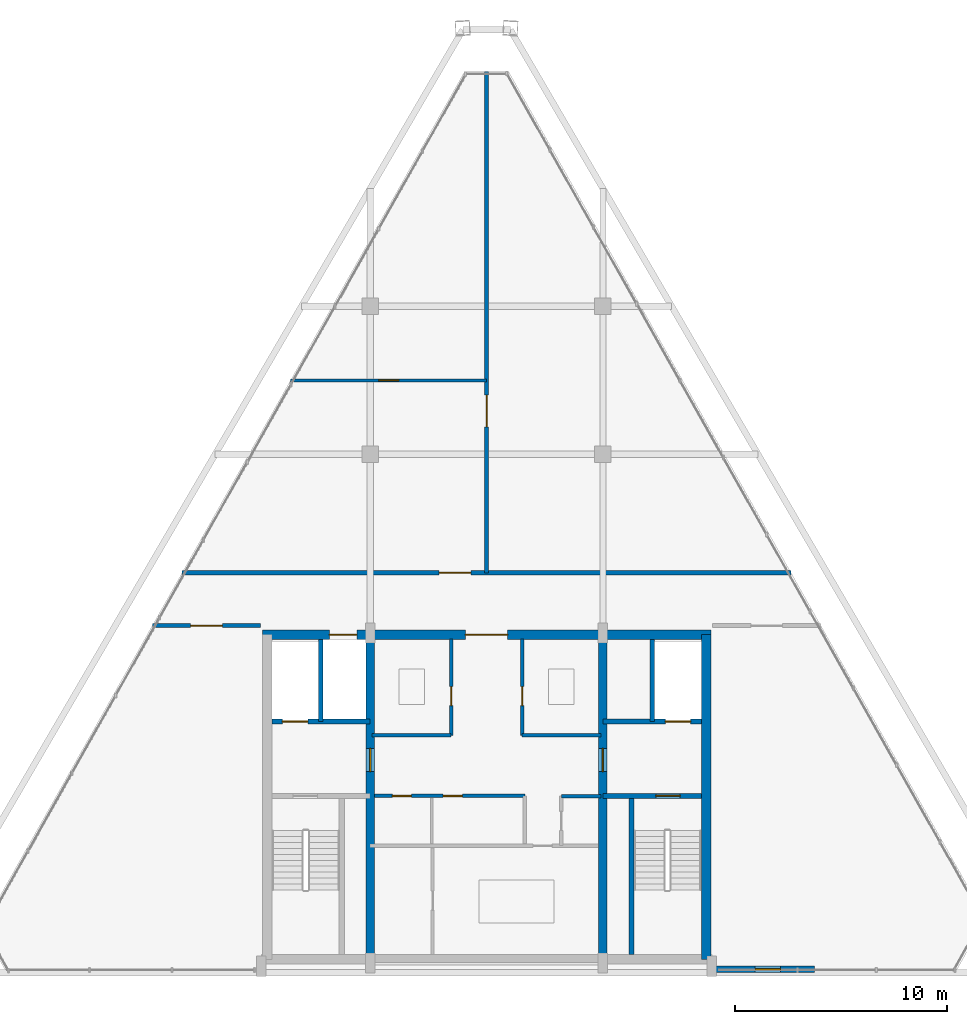
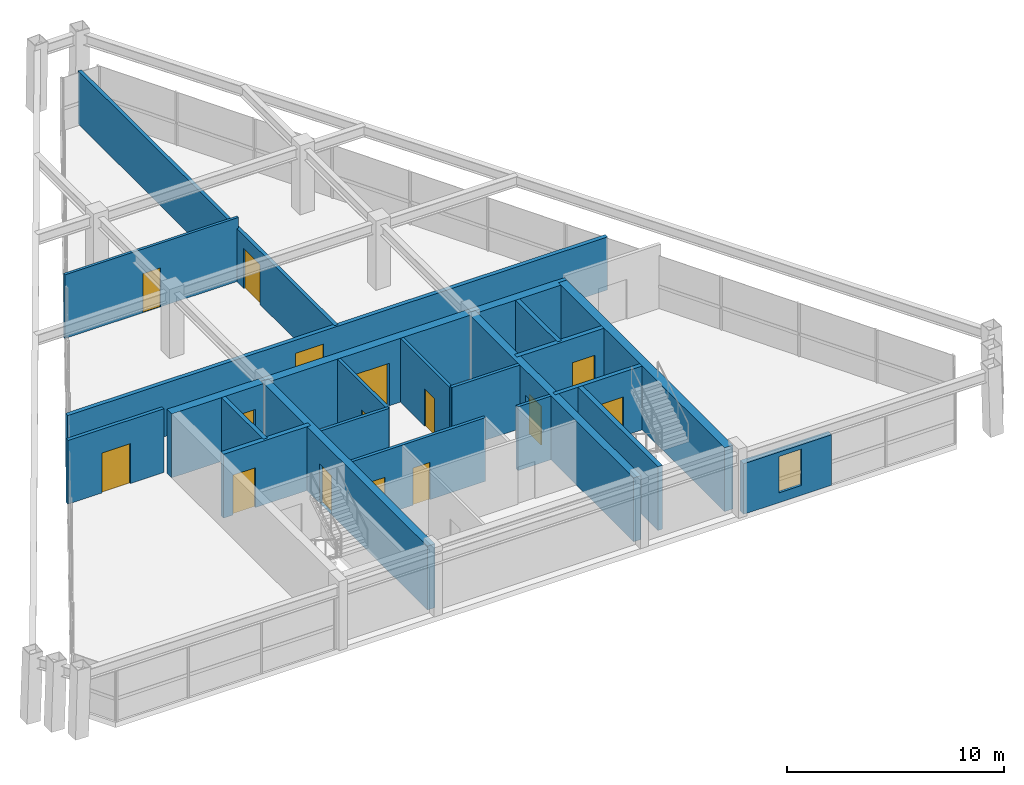
# One storey, part 10 of 12: 21 walls, 15 doors, 1 window, 16 openings.
"""IFC4 building model written with IfcOpenShell, lengths in metres."""

import ifcopenshell
import ifcopenshell.guid

model = None  # the IFC model being written
_history = None  # IfcOwnerHistory: only IFC2X3 demands one
_inside = {}  # id of a spatial element -> (the spatial element, [elements in it])
_under = {}  # id of a project, library or spatial element -> (it, [spatial elements below it])
_declared = {}  # id of a project -> (the project, [libraries it declares])
_typed = {}  # id of a type object -> (the type object, [elements of that type])
_made_of = {}  # id of a material, layer set ... -> (it, [elements and type objects made of it])


def new_model(schema):
    """Start an empty IFC model of exactly this schema.

    Asked for "IFC4X3", IfcOpenShell would pick the latest addendum, in which some entities
    have other attributes; the version numbers below select the first issue.
    IFC2X3 requires an IfcOwnerHistory on every rooted entity: one is made here for all.
    """
    global model, _history
    if schema == "IFC4X3":
        model = ifcopenshell.file(schema_version=(4, 3, 0, 0))
    else:
        model = ifcopenshell.file(schema=schema)
    _inside.clear()
    _under.clear()
    _declared.clear()
    _typed.clear()
    _made_of.clear()
    _history = None
    if model.schema == "IFC2X3":
        org = make("IfcOrganization", Name="unknown")
        user = make(
            "IfcPersonAndOrganization",
            ThePerson=make("IfcPerson", FamilyName="unknown"),
            TheOrganization=org,
        )
        app = make(
            "IfcApplication",
            ApplicationDeveloper=org,
            Version="unknown",
            ApplicationFullName="unknown",
            ApplicationIdentifier="unknown",
        )
        _history = make(
            "IfcOwnerHistory",
            OwningUser=user,
            OwningApplication=app,
            ChangeAction="ADDED",
            CreationDate=0,
        )
    return model


def make(cls, **values):
    """One entity of the class cls with the attributes given. An attribute that is None is left unset."""
    return model.create_entity(
        cls, **{name: value for name, value in values.items() if value is not None}
    )


def rooted(cls, **values):
    """An entity with a GlobalId (a new one), such as an element, a storey or a relation."""
    return make(cls, GlobalId=ifcopenshell.guid.new(), OwnerHistory=_history, **values)


def si_unit(unit_type, name, prefix=None):
    """IfcSIUnit, for example si_unit("LENGTHUNIT", "METRE", prefix="MILLI")."""
    return make("IfcSIUnit", UnitType=unit_type, Prefix=prefix, Name=name)


def assignment(units):
    """IfcUnitAssignment: the units of a project."""
    return None if units is None else make("IfcUnitAssignment", Units=units)


def point(xyz):
    """IfcCartesianPoint."""
    return None if xyz is None else make("IfcCartesianPoint", Coordinates=xyz)


def direction(xyz):
    """IfcDirection."""
    return None if xyz is None else make("IfcDirection", DirectionRatios=xyz)


def frame(location, z_axis=None, x_axis=None):
    """IfcAxis2Placement3D, a coordinate frame: its origin and axes. An axis left out is left unset."""
    return make(
        "IfcAxis2Placement3D",
        Location=point(location),
        Axis=direction(z_axis),
        RefDirection=direction(x_axis),
    )


def frame_2d(location, x_axis=None):
    """IfcAxis2Placement2D, a coordinate frame in the plane: its origin and x axis."""
    return make(
        "IfcAxis2Placement2D", Location=point(location), RefDirection=direction(x_axis)
    )


def origin():
    """The frame at (0, 0, 0) with its axes left unset."""
    return frame((0.0, 0.0, 0.0))


def place(relative_to, where):
    """IfcLocalPlacement: puts the frame where relative to a parent placement (None: the world)."""
    return make(
        "IfcLocalPlacement", PlacementRelTo=relative_to, RelativePlacement=where
    )


def context(
    kind, dimensions, precision=None, world=None, true_north=None, identifier=None
):
    """IfcGeometricRepresentationContext, for example the 3D "Model" context."""
    return make(
        "IfcGeometricRepresentationContext",
        ContextIdentifier=identifier,
        ContextType=kind,
        CoordinateSpaceDimension=dimensions,
        Precision=precision,
        WorldCoordinateSystem=world,
        TrueNorth=true_north,
    )


def subcontext(parent, identifier, kind, view, scale=None):
    """IfcGeometricRepresentationSubContext, for example "Body" below "Model"."""
    return make(
        "IfcGeometricRepresentationSubContext",
        ContextIdentifier=identifier,
        ContextType=kind,
        ParentContext=parent,
        TargetScale=scale,
        TargetView=view,
    )


def project(units=None, contexts=None):
    """IfcProject with its units and contexts."""
    return rooted(
        "IfcProject",
        Name="project",
        RepresentationContexts=contexts,
        UnitsInContext=assignment(units),
    )


def spatial(cls, under=None, at=None, **own):
    """A site, building, storey or space (cls), placed at a placement, below another one or the project."""
    s = rooted(cls, ObjectPlacement=at, **own)
    if under is not None:
        _under.setdefault(under.id(), (under, []))[1].append(s)
    return s


def profile(cls, at=None, kind="AREA", **sizes):
    """A parametric profile (cls). Its sizes go by their IFC names, for example OverallWidth=200.0."""
    return make(cls, ProfileType=kind, Position=at, **sizes)


def rectangle(**sizes):
    """IfcRectangleProfileDef."""
    return profile("IfcRectangleProfileDef", **sizes)


def extrude(swept, where, along, depth):
    """IfcExtrudedAreaSolid: the profile swept, set in the frame where, extruded along a direction by depth."""
    return make(
        "IfcExtrudedAreaSolid",
        SweptArea=swept,
        Position=where,
        ExtrudedDirection=direction(along),
        Depth=depth,
    )


def shape(context_of_items, identifier, shape_type, items):
    """IfcShapeRepresentation: the items that make up one representation, for example the "Body"."""
    return make(
        "IfcShapeRepresentation",
        ContextOfItems=context_of_items,
        RepresentationIdentifier=identifier,
        RepresentationType=shape_type,
        Items=items,
    )


def source(mapping_origin, context_of_items, identifier, shape_type, items):
    """IfcRepresentationMap: a shape defined once, which mapped items show again and again."""
    return make(
        "IfcRepresentationMap",
        MappingOrigin=mapping_origin,
        MappedRepresentation=shape(context_of_items, identifier, shape_type, items),
    )


def transform(
    local_origin,
    x_axis=None,
    y_axis=None,
    z_axis=None,
    scale=None,
    scale2=None,
    scale3=None,
    uniform=True,
):
    """IfcCartesianTransformationOperator3D, or its non-uniform kind. x_axis, y_axis, z_axis: its Axis1, 2, 3."""
    if uniform:
        return make(
            "IfcCartesianTransformationOperator3D",
            Axis1=direction(x_axis),
            Axis2=direction(y_axis),
            LocalOrigin=point(local_origin),
            Scale=scale,
            Axis3=direction(z_axis),
        )
    return make(
        "IfcCartesianTransformationOperator3DnonUniform",
        Axis1=direction(x_axis),
        Axis2=direction(y_axis),
        LocalOrigin=point(local_origin),
        Scale=scale,
        Axis3=direction(z_axis),
        Scale2=scale2,
        Scale3=scale3,
    )


def mapped(mapping_source, mapping_target):
    """IfcMappedItem: shows the shape of a source again, moved by a transform."""
    return make(
        "IfcMappedItem", MappingSource=mapping_source, MappingTarget=mapping_target
    )


def material(Name=None, Category=None):
    """IfcMaterial."""
    return make("IfcMaterial", Name=Name, Category=Category)


def layer(
    of_material, thickness, ventilated=None, Name=None, Category=None, Priority=None
):
    """IfcMaterialLayer: one layer of a wall or slab, of a material (None: an air gap)."""
    return make(
        "IfcMaterialLayer",
        Material=of_material,
        LayerThickness=thickness,
        IsVentilated=ventilated,
        Name=Name,
        Category=Category,
        Priority=Priority,
    )


def layer_set(layers, Name=None):
    """IfcMaterialLayerSet."""
    return make("IfcMaterialLayerSet", MaterialLayers=layers, LayerSetName=Name)


def made_of(thing, what):
    """Note that an element or type object is made of a material, layer set ...; save() writes the relation."""
    if what is not None:
        _made_of.setdefault(what.id(), (what, []))[1].append(thing)
    return thing


def type_object(cls, material=None, **own):
    """A type object (cls), such as IfcWallType, which elements share."""
    return made_of(rooted(cls, **own), material)


def type_shapes(of_type, sources):
    """Give a type object the sources (RepresentationMaps) that its elements show as mapped items."""
    of_type.RepresentationMaps = sources


def element(
    cls,
    number,
    at=None,
    inside=None,
    cuts=None,
    type_object=None,
    material=None,
    context=None,
    identifier="Body",
    shape_type=None,
    held_by="IfcProductDefinitionShape",
    body=None,
    shapes=None,
    **own,
):
    """One element of the class cls, such as IfcWall. Its Tag is "e" and its number.

    at: its placement. inside: the storey or other place that contains it. cuts: it is an
    opening in that element (IfcRelVoidsElement). A single representation is given by context,
    identifier, shape_type and body (its items); several are given by shapes. held_by: the class
    of the entity that holds the representations. save() writes the other relations.
    """
    e = rooted(cls, Tag="e%d" % number, ObjectPlacement=at, **own)
    if body is not None:
        shapes = [shape(context, identifier, shape_type, body)]
    if shapes is not None:
        e.Representation = make(held_by, Representations=shapes)
    if inside is not None:
        _inside.setdefault(inside.id(), (inside, []))[1].append(e)
    if cuts is not None:
        rooted(
            "IfcRelVoidsElement", RelatingBuildingElement=cuts, RelatedOpeningElement=e
        )
    if type_object is not None:
        _typed.setdefault(type_object.id(), (type_object, []))[1].append(e)
    return made_of(e, material)


def fill(opening, filler):
    """IfcRelFillsElement: the door or window that sits in an opening."""
    return rooted(
        "IfcRelFillsElement",
        RelatingOpeningElement=opening,
        RelatedBuildingElement=filler,
    )


def aggregate(whole, parts):
    """IfcRelAggregates: a whole, such as a stair, and the parts it consists of."""
    return rooted("IfcRelAggregates", RelatingObject=whole, RelatedObjects=parts)


def save(model, path):
    """Write the relations noted so far, then the file.

    IfcRelAggregates (storeys below a building ...), IfcRelContainedInSpatialStructure (elements
    in a storey), IfcRelDefinesByType, IfcRelAssociatesMaterial and IfcRelDeclares: one each for
    every whole, place, type object, material and project.
    """
    for whole, parts in _under.values():
        aggregate(whole, parts)
    for where, things in _inside.values():
        rooted(
            "IfcRelContainedInSpatialStructure",
            RelatedElements=things,
            RelatingStructure=where,
        )
    for kind, things in _typed.values():
        rooted("IfcRelDefinesByType", RelatedObjects=things, RelatingType=kind)
    for what, things in _made_of.values():
        rooted("IfcRelAssociatesMaterial", RelatedObjects=things, RelatingMaterial=what)
    for by, libraries in _declared.values():
        rooted("IfcRelDeclares", RelatingContext=by, RelatedDefinitions=libraries)
    model.write(path)


model = new_model("IFC4")

# Units and contexts
model_context = context("Model", 3, precision=1e-05, world=origin(), true_north=direction((0.0, 1.0)))
body_context = subcontext(model_context, "Body", "Model", "MODEL_VIEW")
ifc_project = project(units=[si_unit("LENGTHUNIT", "METRE"), si_unit("AREAUNIT", "SQUARE_METRE"), si_unit("VOLUMEUNIT", "CUBIC_METRE"), si_unit("PLANEANGLEUNIT", "RADIAN"), si_unit("MASSUNIT", "GRAM", prefix="KILO")], contexts=[model_context])

# Site, building, storey
site_placement = place(None, origin())
site = spatial("IfcSite", under=ifc_project, at=site_placement, CompositionType="ELEMENT")
building_placement = place(site_placement, origin())
building = spatial("IfcBuilding", under=site, at=building_placement, Name="Varnakhor Terracotta Tower", CompositionType="ELEMENT")
storey_placement = place(building_placement, frame((0.0, 0.0, 321.39990234375)))
storey = spatial("IfcBuildingStorey", under=building, at=storey_placement, Name="L84 Crown", CompositionType="ELEMENT", Elevation=321.39990234375)

# Wall, openings, doors
ifc_material_1 = material(Name="Concrete C50/60", Category="concrete")
ifc_layer_1 = layer(ifc_material_1, 0.449951171875, Name="Concrete C50/60")
ifc_layer_set_1 = layer_set([ifc_layer_1], Name="Concrete C50/60")
wall_type_1 = type_object("IfcWallType", Name="WAL-CORE-450", PredefinedType="SHEAR", material=ifc_layer_set_1)
wall_1_placement = place(storey_placement, frame((-10.60009765625, 15.97509765625, 0.0), z_axis=(0.0, 0.0, 1.0), x_axis=(1.0, 0.0, 0.0)))
wall_1 = element("IfcWall", 1, at=wall_1_placement, inside=storey, type_object=wall_type_1, Name="L84 Crown North Core Shear Wall", PredefinedType="SHEAR", context=body_context, shape_type="SweptSolid", body=[
    extrude(rectangle(XDim=21.2001953125, YDim=0.449951171875, at=frame_2d((10.60009765625, 0.0))), origin(), (0.0, 0.0, 1.0), 3.60009765625),
])
opening_1_placement = place(wall_1_placement, frame((3.169921875, 0.0, 0.0)))
opening_1 = element("IfcOpeningElement", 2, at=opening_1_placement, cuts=wall_1, Name="Opening LD-03", PredefinedType="OPENING", context=body_context, shape_type="SweptSolid", body=[
    extrude(rectangle(XDim=1.300048828125, YDim=2.300048828125, at=frame_2d((0.64990234375, 1.14990234375))), frame((0.0, 0.23486328125, 0.0), z_axis=(0.0, -1.0, 0.0), x_axis=(1.0, 0.0, 0.0)), (0.0, 0.0, 1.0), 0.469970703125),
])
opening_2_placement = place(wall_1_placement, frame((9.60009765625, 0.0, 0.0)))
opening_2 = element("IfcOpeningElement", 3, at=opening_2_placement, cuts=wall_1, Name="Opening DR-32", PredefinedType="OPENING", context=body_context, shape_type="SweptSolid", body=[
    extrude(rectangle(XDim=2.0, YDim=2.39990234375, at=frame_2d((1.0, 1.199951171875))), frame((0.0, 0.23486328125, 0.0), z_axis=(0.0, -1.0, 0.0), x_axis=(1.0, 0.0, 0.0)), (0.0, 0.0, 1.0), 0.469970703125),
])
ifc_material_2 = material(Name="Heavy-Duty Goods Sliding Lift Landing Door", Category="steel")
door_type_1 = type_object("IfcDoorType", Name="LD-SRV-1300X2300", OperationType="NOTDEFINED", PredefinedType="DOOR", material=ifc_material_2)
shared_shape_1 = source(origin(), body_context, "Body", "SweptSolid", [
    extrude(rectangle(XDim=1.300048828125, YDim=2.300048828125, at=frame_2d((0.64990234375, 1.14990234375))), frame((0.0, 0.02490234375, 0.0), z_axis=(0.0, -1.0, 0.0), x_axis=(1.0, 0.0, 0.0)), (0.0, 0.0, 1.0), 0.050048828125),
])
type_shapes(door_type_1, [shared_shape_1])
door_1_placement = place(opening_1_placement, origin())
door_1 = element("IfcDoor", 4, at=door_1_placement, inside=storey, type_object=door_type_1, Name="L84 Crown Service Lift SVL-1 Landing Door", OperationType="SLIDING_TO_RIGHT", OverallHeight=2.300048828125, OverallWidth=1.300048828125, PredefinedType="DOOR", context=body_context, shape_type="MappedRepresentation", body=[
    mapped(shared_shape_1, transform((0.0, 0.0, 0.0), scale=1.0)),
])
fill(opening_1, door_1)
ifc_material_3 = material(Name="Acoustic Double Assembly Fire Door", Category="wood")
door_type_2 = type_object("IfcDoorType", Name="DR-HALL-2000X2400", OperationType="NOTDEFINED", PredefinedType="DOOR", material=ifc_material_3)
shared_shape_2 = source(origin(), body_context, "Body", "SweptSolid", [
    extrude(rectangle(XDim=2.0, YDim=2.39990234375, at=frame_2d((1.0, 1.199951171875))), frame((0.0, 0.02490234375, 0.0), z_axis=(0.0, -1.0, 0.0), x_axis=(1.0, 0.0, 0.0)), (0.0, 0.0, 1.0), 0.050048828125),
])
type_shapes(door_type_2, [shared_shape_2])
door_2_placement = place(opening_2_placement, origin())
door_2 = element("IfcDoor", 5, at=door_2_placement, inside=storey, type_object=door_type_2, Name="L84 Crown Core Main Lobby Double Door", OperationType="DOUBLE_DOOR_SINGLE_SWING", OverallHeight=2.39990234375, OverallWidth=2.0, PredefinedType="DOOR", context=body_context, shape_type="MappedRepresentation", body=[
    mapped(shared_shape_2, transform((0.0, 0.0, 0.0), scale=1.0)),
])
fill(opening_2, door_2)

# Wall
wall_2_placement = place(storey_placement, frame((10.375, 0.625, 0.0), z_axis=(0.0, 0.0, 1.0), x_axis=(0.0, 1.0, 0.0)))
element("IfcWall", 6, at=wall_2_placement, inside=storey, type_object=wall_type_1, Name="L84 Crown East Core Shear Wall", PredefinedType="SHEAR", context=body_context, shape_type="SweptSolid", body=[
    extrude(rectangle(XDim=15.35009765625, YDim=0.449951171875, at=frame_2d((7.675048828125, 0.0))), origin(), (0.0, 0.0, 1.0), 3.60009765625),
])

# Wall, opening, door
ifc_layer_2 = layer(ifc_material_1, 0.39990234375, Name="Concrete C50/60")
ifc_layer_set_2 = layer_set([ifc_layer_2], Name="Concrete C50/60")
wall_type_2 = type_object("IfcWallType", Name="WAL-CORE-WEB-400", PredefinedType="SHEAR", material=ifc_layer_set_2)
wall_3_placement = place(storey_placement, frame((-5.5, 0.625, 0.0), z_axis=(0.0, 0.0, 1.0), x_axis=(0.0, 1.0, 0.0)))
wall_3 = element("IfcWall", 7, at=wall_3_placement, inside=storey, type_object=wall_type_2, Name="L84 Crown West Core Web Shear Wall", PredefinedType="SHEAR", context=body_context, shape_type="SweptSolid", body=[
    extrude(rectangle(XDim=15.35009765625, YDim=0.39990234375, at=frame_2d((7.675048828125, 0.0))), origin(), (0.0, 0.0, 1.0), 3.60009765625),
])
opening_3_placement = place(wall_3_placement, frame((8.875, 0.0, 0.0)))
opening_3 = element("IfcOpeningElement", 8, at=opening_3_placement, cuts=wall_3, Name="Opening DR-25", PredefinedType="OPENING", context=body_context, shape_type="SweptSolid", body=[
    extrude(rectangle(XDim=1.10009765625, YDim=2.199951171875, at=frame_2d((0.550048828125, 1.10009765625))), frame((0.0, 0.2099609375, 0.0), z_axis=(0.0, -1.0, 0.0), x_axis=(1.0, 0.0, 0.0)), (0.0, 0.0, 1.0), 0.419921875),
])
ifc_material_4 = material(Name="Firefighting Lobby Self-Closing Fire Door", Category="steel")
door_type_3 = type_object("IfcDoorType", Name="DR-FFL-1100X2200", OperationType="NOTDEFINED", PredefinedType="DOOR", material=ifc_material_4)
shared_shape_3 = source(origin(), body_context, "Body", "SweptSolid", [
    extrude(rectangle(XDim=1.10009765625, YDim=2.199951171875, at=frame_2d((0.550048828125, 1.10009765625))), frame((0.0, 0.02490234375, 0.0), z_axis=(0.0, -1.0, 0.0), x_axis=(1.0, 0.0, 0.0)), (0.0, 0.0, 1.0), 0.050048828125),
])
type_shapes(door_type_3, [shared_shape_3])
door_3_placement = place(opening_3_placement, origin())
door_3 = element("IfcDoor", 9, at=door_3_placement, inside=storey, type_object=door_type_3, Name="L84 Crown West Firefighting Lobby Door", OperationType="SINGLE_SWING_RIGHT", OverallHeight=2.199951171875, OverallWidth=1.10009765625, PredefinedType="DOOR", context=body_context, shape_type="MappedRepresentation", body=[
    mapped(shared_shape_3, transform((0.0, 0.0, 0.0), scale=1.0)),
])
fill(opening_3, door_3)

wall_4_placement = place(storey_placement, frame((5.5, 0.625, 0.0), z_axis=(0.0, 0.0, 1.0), x_axis=(0.0, 1.0, 0.0)))
wall_4 = element("IfcWall", 10, at=wall_4_placement, inside=storey, type_object=wall_type_2, Name="L84 Crown East Core Web Shear Wall", PredefinedType="SHEAR", context=body_context, shape_type="SweptSolid", body=[
    extrude(rectangle(XDim=15.35009765625, YDim=0.39990234375, at=frame_2d((7.675048828125, 0.0))), origin(), (0.0, 0.0, 1.0), 3.60009765625),
])
opening_4_placement = place(wall_4_placement, frame((8.875, 0.0, 0.0)))
opening_4 = element("IfcOpeningElement", 11, at=opening_4_placement, cuts=wall_4, Name="Opening DR-25", PredefinedType="OPENING", context=body_context, shape_type="SweptSolid", body=[
    extrude(rectangle(XDim=1.10009765625, YDim=2.199951171875, at=frame_2d((0.550048828125, 1.10009765625))), frame((0.0, 0.2099609375, 0.0), z_axis=(0.0, -1.0, 0.0), x_axis=(1.0, 0.0, 0.0)), (0.0, 0.0, 1.0), 0.419921875),
])
door_4_placement = place(opening_4_placement, origin())
door_4 = element("IfcDoor", 12, at=door_4_placement, inside=storey, type_object=door_type_3, Name="L84 Crown East Firefighting Lobby Door", OperationType="SINGLE_SWING_RIGHT", OverallHeight=2.199951171875, OverallWidth=1.10009765625, PredefinedType="DOOR", context=body_context, shape_type="MappedRepresentation", body=[
    mapped(shared_shape_3, transform((0.0, 0.0, 0.0), scale=1.0)),
])
fill(opening_4, door_4)

ifc_material_5 = material(Name="Fire-Rated Gypsum Stud Partition", Category="gypsum")
ifc_layer_3 = layer(ifc_material_5, 0.18505859375, Name="Fire-Rated Gypsum Stud Partition")
ifc_layer_set_3 = layer_set([ifc_layer_3], Name="Fire-Rated Gypsum Stud Partition")
wall_type_3 = type_object("IfcWallType", Name="WAL-CORR-185", PredefinedType="PARTITIONING", material=ifc_layer_set_3)
wall_5_placement = place(storey_placement, frame((-15.798583984375, 16.39990234375, 0.0), z_axis=(0.0, 0.0, 1.0), x_axis=(1.0, 0.0, 0.0)))
wall_5 = element("IfcWall", 13, at=wall_5_placement, inside=storey, type_object=wall_type_3, Name="L84 Crown West Plant Wall", PredefinedType="PARTITIONING", context=body_context, shape_type="SweptSolid", body=[
    extrude(rectangle(XDim=5.11865234375, YDim=0.18505859375, at=frame_2d((2.559326171875, 0.0))), origin(), (0.0, 0.0, 1.0), 3.592041015625),
])
opening_5_placement = place(wall_5_placement, frame((1.809326171875, 0.0, 0.0)))
opening_5 = element("IfcOpeningElement", 14, at=opening_5_placement, cuts=wall_5, Name="Opening DR-30", PredefinedType="OPENING", context=body_context, shape_type="SweptSolid", body=[
    extrude(rectangle(XDim=1.5, YDim=2.25, at=frame_2d((0.75, 1.125))), frame((0.0, 0.1025390625, 0.0), z_axis=(0.0, -1.0, 0.0), x_axis=(1.0, 0.0, 0.0)), (0.0, 0.0, 1.0), 0.205078125),
])
ifc_material_6 = material(Name="Double Acoustic Conference Room Door", Category="wood")
door_type_4 = type_object("IfcDoorType", Name="DR-MEET-1500X2250", OperationType="NOTDEFINED", PredefinedType="DOOR", material=ifc_material_6)
shared_shape_4 = source(origin(), body_context, "Body", "SweptSolid", [
    extrude(rectangle(XDim=1.5, YDim=2.25, at=frame_2d((0.75, 1.125))), frame((0.0, 0.02490234375, 0.0), z_axis=(0.0, -1.0, 0.0), x_axis=(1.0, 0.0, 0.0)), (0.0, 0.0, 1.0), 0.050048828125),
])
type_shapes(door_type_4, [shared_shape_4])
door_5_placement = place(opening_5_placement, origin())
door_5 = element("IfcDoor", 15, at=door_5_placement, inside=storey, type_object=door_type_4, Name="L84 Crown West Mechanical Room Door", OperationType="DOUBLE_DOOR_SINGLE_SWING", OverallHeight=2.25, OverallWidth=1.5, PredefinedType="DOOR", context=body_context, shape_type="MappedRepresentation", body=[
    mapped(shared_shape_4, transform((0.0, 0.0, 0.0), scale=1.0)),
])
fill(opening_5, door_5)

wall_6_placement = place(storey_placement, frame((0.0, 18.89990234375, 0.0), z_axis=(0.0, 0.0, 1.0), x_axis=(0.0, 1.0, 0.0)))
wall_6 = element("IfcWall", 16, at=wall_6_placement, inside=storey, type_object=wall_type_3, Name="L84 Crown Crown Plant Division Wall", PredefinedType="PARTITIONING", context=body_context, shape_type="SweptSolid", body=[
    extrude(rectangle(XDim=23.6953125, YDim=0.18505859375, at=frame_2d((11.84765625, 0.0))), origin(), (0.0, 0.0, 1.0), 2.9921875),
])
opening_6_placement = place(wall_6_placement, frame((6.8974609375, 0.0, 0.0)))
opening_6 = element("IfcOpeningElement", 17, at=opening_6_placement, cuts=wall_6, Name="Opening DR-30", PredefinedType="OPENING", context=body_context, shape_type="SweptSolid", body=[
    extrude(rectangle(XDim=1.5, YDim=2.25, at=frame_2d((0.75, 1.125))), frame((0.0, 0.1025390625, 0.0), z_axis=(0.0, -1.0, 0.0), x_axis=(1.0, 0.0, 0.0)), (0.0, 0.0, 1.0), 0.205078125),
])
door_6_placement = place(opening_6_placement, origin())
door_6 = element("IfcDoor", 18, at=door_6_placement, inside=storey, type_object=door_type_4, Name="L84 Crown Crown Plant Door", OperationType="DOUBLE_DOOR_SINGLE_SWING", OverallHeight=2.25, OverallWidth=1.5, PredefinedType="DOOR", context=body_context, shape_type="MappedRepresentation", body=[
    mapped(shared_shape_4, transform((0.0, 0.0, 0.0), scale=1.0)),
])
fill(opening_6, door_6)

# Wall, opening, window
ifc_material_7 = material(Name="Extruded Architectural Terracotta Assembly", Category="masonry")
ifc_layer_4 = layer(ifc_material_7, 0.320068359375, Name="Extruded Architectural Terracotta Assembly")
ifc_layer_set_4 = layer_set([ifc_layer_4], Name="Extruded Architectural Terracotta Assembly")
wall_type_4 = type_object("IfcWallType", Name="WAL-EXT-TERRACOTTA-320", PredefinedType="SOLIDWALL", material=ifc_layer_set_4)
wall_7_placement = place(storey_placement, frame((15.5, 0.159912109375, 0.0), z_axis=(0.0, 0.0, 1.0), x_axis=(-1.0, 0.0, 0.0)))
wall_7 = element("IfcWall", 19, at=wall_7_placement, inside=storey, type_object=wall_type_4, Name="L84 Crown South Crown Terracotta Spandrel Wall", PredefinedType="SOLIDWALL", context=body_context, shape_type="SweptSolid", body=[
    extrude(rectangle(XDim=4.699951171875, YDim=0.320068359375, at=frame_2d((2.35009765625, 0.0))), origin(), (0.0, 0.0, 1.0), 2.85009765625),
])
opening_7_placement = place(wall_7_placement, frame((1.60009765625, 0.0, 0.550048828125)))
opening_7 = element("IfcOpeningElement", 20, at=opening_7_placement, cuts=wall_7, Name="Opening WN-55", PredefinedType="OPENING", context=body_context, shape_type="SweptSolid", body=[
    extrude(rectangle(XDim=1.199951171875, YDim=2.050048828125, at=frame_2d((0.60009765625, 1.02490234375))), frame((0.0, 0.169921875, 0.0), z_axis=(0.0, -1.0, 0.0), x_axis=(1.0, 0.0, 0.0)), (0.0, 0.0, 1.0), 0.340087890625),
])
ifc_material_8 = material(Name="Solar-Control Low-E Insulated Glass Unit", Category="glass")
window_type = type_object("IfcWindowType", Name="WIN-CRN-1200X2200", PartitioningType="SINGLE_PANEL", PredefinedType="WINDOW", material=ifc_material_8)
shared_shape_5 = source(origin(), body_context, "Body", "SweptSolid", [
    extrude(rectangle(XDim=1.199951171875, YDim=2.050048828125, at=frame_2d((0.60009765625, 1.02490234375))), frame((0.0, 0.030029296875, 0.0), z_axis=(0.0, -1.0, 0.0), x_axis=(1.0, 0.0, 0.0)), (0.0, 0.0, 1.0), 0.06005859375),
])
type_shapes(window_type, [shared_shape_5])
window_placement = place(opening_7_placement, origin())
window = element("IfcWindow", 21, at=window_placement, inside=storey, type_object=window_type, Name="L84 Crown Crown Slot Window", OverallHeight=2.050048828125, OverallWidth=1.199951171875, PartitioningType="SINGLE_PANEL", PredefinedType="WINDOW", context=body_context, shape_type="MappedRepresentation", body=[
    mapped(shared_shape_5, transform((0.0, 0.0, 0.0), scale=1.0)),
])
fill(opening_7, window)

# Wall, opening, door
ifc_material_9 = material(Name="Concrete C40/50", Category="concrete")
ifc_layer_5 = layer(ifc_material_9, 0.219970703125, Name="Concrete C40/50")
ifc_layer_set_5 = layer_set([ifc_layer_5], Name="Concrete C40/50")
wall_type_5 = type_object("IfcWallType", Name="WAL-FFLOBBY-220", PredefinedType="SOLIDWALL", material=ifc_layer_set_5)
wall_8_placement = place(storey_placement, frame((10.14990234375, 8.35009765625, 0.0), z_axis=(0.0, 0.0, 1.0), x_axis=(-1.0, 0.0, 0.0)))
wall_8 = element("IfcWall", 22, at=wall_8_placement, inside=storey, type_object=wall_type_5, Name="L84 Crown East Firefighting Lobby Stair Wall", PredefinedType="SOLIDWALL", context=body_context, shape_type="SweptSolid", body=[
    extrude(rectangle(XDim=4.64990234375, YDim=0.219970703125, at=frame_2d((2.324951171875, 0.0))), origin(), (0.0, 0.0, 1.0), 3.60009765625),
])
opening_8_placement = place(wall_8_placement, frame((1.0, 0.0, 0.0)))
opening_8 = element("IfcOpeningElement", 23, at=opening_8_placement, cuts=wall_8, Name="Opening DR-34", PredefinedType="OPENING", context=body_context, shape_type="SweptSolid", body=[
    extrude(rectangle(XDim=1.14990234375, YDim=2.199951171875, at=frame_2d((0.574951171875, 1.10009765625))), frame((0.0, 0.1201171875, 0.0), z_axis=(0.0, -1.0, 0.0), x_axis=(1.0, 0.0, 0.0)), (0.0, 0.0, 1.0), 0.239990234375),
])
ifc_material_10 = material(Name="Self-Closing Smoke-Sealed Steel Fire Door", Category="steel")
door_type_5 = type_object("IfcDoorType", Name="DR-STAIR-1150X2200", OperationType="NOTDEFINED", PredefinedType="DOOR", material=ifc_material_10)
shared_shape_6 = source(origin(), body_context, "Body", "SweptSolid", [
    extrude(rectangle(XDim=1.14990234375, YDim=2.199951171875, at=frame_2d((0.574951171875, 1.10009765625))), frame((0.0, 0.02490234375, 0.0), z_axis=(0.0, -1.0, 0.0), x_axis=(1.0, 0.0, 0.0)), (0.0, 0.0, 1.0), 0.050048828125),
])
type_shapes(door_type_5, [shared_shape_6])
door_7_placement = place(opening_8_placement, origin())
door_7 = element("IfcDoor", 24, at=door_7_placement, inside=storey, type_object=door_type_5, Name="L84 Crown Exit Stair ST-2 Fire Door", OperationType="SINGLE_SWING_LEFT", OverallHeight=2.199951171875, OverallWidth=1.14990234375, PredefinedType="DOOR", context=body_context, shape_type="MappedRepresentation", body=[
    mapped(shared_shape_6, transform((0.0, 0.0, 0.0), scale=1.0)),
])
fill(opening_8, door_7)

wall_9_placement = place(storey_placement, frame((-14.3896484375, 18.89990234375, 0.0), z_axis=(0.0, 0.0, 1.0), x_axis=(1.0, 0.0, 0.0)))
wall_9 = element("IfcWall", 25, at=wall_9_placement, inside=storey, type_object=wall_type_5, Name="L84 Crown Plant Corridor Wall", PredefinedType="SOLIDWALL", context=body_context, shape_type="SweptSolid", body=[
    extrude(rectangle(XDim=28.779296875, YDim=0.219970703125, at=frame_2d((14.3896484375, 0.0))), origin(), (0.0, 0.0, 1.0), 2.9921875),
])
opening_9_placement = place(wall_9_placement, frame((12.147216796875, 0.0, 0.0)))
opening_9 = element("IfcOpeningElement", 26, at=opening_9_placement, cuts=wall_9, Name="Opening DR-30", PredefinedType="OPENING", context=body_context, shape_type="SweptSolid", body=[
    extrude(rectangle(XDim=1.5, YDim=2.25, at=frame_2d((0.75, 1.125))), frame((0.0, 0.1201171875, 0.0), z_axis=(0.0, -1.0, 0.0), x_axis=(1.0, 0.0, 0.0)), (0.0, 0.0, 1.0), 0.239990234375),
])
door_8_placement = place(opening_9_placement, origin())
door_8 = element("IfcDoor", 27, at=door_8_placement, inside=storey, type_object=door_type_4, Name="L84 Crown North Plant Access Door", OperationType="DOUBLE_DOOR_SINGLE_SWING", OverallHeight=2.25, OverallWidth=1.5, PredefinedType="DOOR", context=body_context, shape_type="MappedRepresentation", body=[
    mapped(shared_shape_4, transform((0.0, 0.0, 0.0), scale=1.0)),
])
fill(opening_9, door_8)

ifc_material_11 = material(Name="Acoustic Metal-Stud Partition", Category="gypsum")
ifc_layer_6 = layer(ifc_material_11, 0.139892578125, Name="Acoustic Metal-Stud Partition")
ifc_layer_set_6 = layer_set([ifc_layer_6], Name="Acoustic Metal-Stud Partition")
wall_type_6 = type_object("IfcWallType", Name="WAL-PART-140", PredefinedType="PARTITIONING", material=ifc_layer_set_6)
wall_10_placement = place(storey_placement, frame((-9.260498046875, 28.0, 0.0), z_axis=(0.0, 0.0, 1.0), x_axis=(1.0, 0.0, 0.0)))
wall_10 = element("IfcWall", 28, at=wall_10_placement, inside=storey, type_object=wall_type_6, Name="L84 Crown Crown Sub-Plant Wall", PredefinedType="PARTITIONING", context=body_context, shape_type="SweptSolid", body=[
    extrude(rectangle(XDim=9.260498046875, YDim=0.139892578125, at=frame_2d((4.63037109375, 0.0))), origin(), (0.0, 0.0, 1.0), 3.592041015625),
])
opening_10_placement = place(wall_10_placement, frame((4.1552734375, 0.0, 0.0)))
opening_10 = element("IfcOpeningElement", 29, at=opening_10_placement, cuts=wall_10, Name="Opening DR-94", PredefinedType="OPENING", context=body_context, shape_type="SweptSolid", body=[
    extrude(rectangle(XDim=0.949951171875, YDim=2.199951171875, at=frame_2d((0.47509765625, 1.10009765625))), frame((0.0, 0.080078125, 0.0), z_axis=(0.0, -1.0, 0.0), x_axis=(1.0, 0.0, 0.0)), (0.0, 0.0, 1.0), 0.159912109375),
])
ifc_material_12 = material(Name="Acoustic Glazed-Vision Timber Office Door", Category="wood")
door_type_6 = type_object("IfcDoorType", Name="DR-OFF-950X2200", OperationType="NOTDEFINED", PredefinedType="DOOR", material=ifc_material_12)
shared_shape_7 = source(origin(), body_context, "Body", "SweptSolid", [
    extrude(rectangle(XDim=0.949951171875, YDim=2.199951171875, at=frame_2d((0.47509765625, 1.10009765625))), frame((0.0, 0.02490234375, 0.0), z_axis=(0.0, -1.0, 0.0), x_axis=(1.0, 0.0, 0.0)), (0.0, 0.0, 1.0), 0.050048828125),
])
type_shapes(door_type_6, [shared_shape_7])
door_9_placement = place(opening_10_placement, origin())
door_9 = element("IfcDoor", 30, at=door_9_placement, inside=storey, type_object=door_type_6, Name="L84 Crown Crown Aux Door", OperationType="SINGLE_SWING_RIGHT", OverallHeight=2.199951171875, OverallWidth=0.949951171875, PredefinedType="DOOR", context=body_context, shape_type="MappedRepresentation", body=[
    mapped(shared_shape_7, transform((0.0, 0.0, 0.0), scale=1.0)),
])
fill(opening_10, door_9)

# Walls
ifc_layer_7 = layer(ifc_material_9, 0.219970703125, Name="Concrete C40/50")
ifc_layer_set_7 = layer_set([ifc_layer_7], Name="Concrete C40/50")
wall_type_7 = type_object("IfcWallType", Name="WAL-SHAFT-220", PredefinedType="SOLIDWALL", material=ifc_layer_set_7)
for number, where, z_axis, x_axis, name in (
    (31, (-7.840087890625, 11.8701171875, 0.0), (0.0, 0.0, 1.0), (0.0, 1.0, 0.0), "L84 Crown Lift FFL-1 and SVL-1 Divider Wall"),
    (32, (7.840087890625, 11.8701171875, 0.0), (0.0, 0.0, 1.0), (0.0, 1.0, 0.0), "L84 Crown Lift FFL-2 and Riser Divider Wall"),
):
    element("IfcWall", number, at=place(storey_placement, frame(where, z_axis=z_axis, x_axis=x_axis)), inside=storey, type_object=wall_type_7, Name=name, PredefinedType="SOLIDWALL", context=body_context, shape_type="SweptSolid", body=[
        extrude(rectangle(XDim=3.8798828125, YDim=0.219970703125, at=frame_2d((1.93994140625, 0.0))), origin(), (0.0, 0.0, 1.0), 3.60009765625),
    ])

# Wall, opening, door
ifc_layer_8 = layer(ifc_material_9, 0.25, Name="Concrete C40/50")
ifc_layer_set_8 = layer_set([ifc_layer_8], Name="Concrete C40/50")
wall_type_8 = type_object("IfcWallType", Name="WAL-SHAFT-250", PredefinedType="SOLIDWALL", material=ifc_layer_set_8)
wall_11_placement = place(storey_placement, frame((-5.5, 11.8701171875, 0.0), z_axis=(0.0, 0.0, 1.0), x_axis=(-1.0, 0.0, 0.0)))
wall_11 = element("IfcWall", 33, at=wall_11_placement, inside=storey, type_object=wall_type_8, Name="L84 Crown Lift FFL-1 Shaft Front Wall", PredefinedType="SOLIDWALL", context=body_context, shape_type="SweptSolid", body=[
    extrude(rectangle(XDim=4.64990234375, YDim=0.25, at=frame_2d((2.324951171875, 0.0))), origin(), (0.0, 0.0, 1.0), 3.60009765625),
])
opening_11_placement = place(wall_11_placement, frame((2.949951171875, 0.0, 0.0)))
opening_11 = element("IfcOpeningElement", 34, at=opening_11_placement, cuts=wall_11, Name="Opening LD-02", PredefinedType="OPENING", context=body_context, shape_type="SweptSolid", body=[
    extrude(rectangle(XDim=1.199951171875, YDim=2.25, at=frame_2d((0.60009765625, 1.125))), frame((0.0, 0.135009765625, 0.0), z_axis=(0.0, -1.0, 0.0), x_axis=(1.0, 0.0, 0.0)), (0.0, 0.0, 1.0), 0.27001953125),
])
ifc_material_13 = material(Name="Firefighting Stretcher Sliding Lift Landing Door", Category="steel")
door_type_7 = type_object("IfcDoorType", Name="LD-FFL-1200X2250", OperationType="NOTDEFINED", PredefinedType="DOOR", material=ifc_material_13)
shared_shape_8 = source(origin(), body_context, "Body", "SweptSolid", [
    extrude(rectangle(XDim=1.199951171875, YDim=2.25, at=frame_2d((0.60009765625, 1.125))), frame((0.0, 0.02490234375, 0.0), z_axis=(0.0, -1.0, 0.0), x_axis=(1.0, 0.0, 0.0)), (0.0, 0.0, 1.0), 0.050048828125),
])
type_shapes(door_type_7, [shared_shape_8])
door_10_placement = place(opening_11_placement, origin())
door_10 = element("IfcDoor", 35, at=door_10_placement, inside=storey, type_object=door_type_7, Name="L84 Crown Firefighting Lift FFL-1 Landing Door", OperationType="SLIDING_TO_LEFT", OverallHeight=2.25, OverallWidth=1.199951171875, PredefinedType="DOOR", context=body_context, shape_type="MappedRepresentation", body=[
    mapped(shared_shape_8, transform((0.0, 0.0, 0.0), scale=1.0)),
])
fill(opening_11, door_10)

# Wall
wall_12_placement = place(storey_placement, frame((6.85009765625, 0.85009765625, 0.0), z_axis=(0.0, 0.0, 1.0), x_axis=(0.0, 1.0, 0.0)))
element("IfcWall", 36, at=wall_12_placement, inside=storey, type_object=wall_type_8, Name="L84 Crown Stair ST-2 Bearing Shaft Wall", PredefinedType="SOLIDWALL", context=body_context, shape_type="SweptSolid", body=[
    extrude(rectangle(XDim=7.5, YDim=0.25, at=frame_2d((3.75, 0.0))), origin(), (0.0, 0.0, 1.0), 3.60009765625),
])

# Wall, opening, door
wall_13_placement = place(storey_placement, frame((10.14990234375, 11.8701171875, 0.0), z_axis=(0.0, 0.0, 1.0), x_axis=(-1.0, 0.0, 0.0)))
wall_13 = element("IfcWall", 37, at=wall_13_placement, inside=storey, type_object=wall_type_8, Name="L84 Crown Lift FFL-2 Shaft Front Wall", PredefinedType="SOLIDWALL", context=body_context, shape_type="SweptSolid", body=[
    extrude(rectangle(XDim=4.64990234375, YDim=0.25, at=frame_2d((2.324951171875, 0.0))), origin(), (0.0, 0.0, 1.0), 3.60009765625),
])
opening_12_placement = place(wall_13_placement, frame((0.5, 0.0, 0.0)))
opening_12 = element("IfcOpeningElement", 38, at=opening_12_placement, cuts=wall_13, Name="Opening LD-02", PredefinedType="OPENING", context=body_context, shape_type="SweptSolid", body=[
    extrude(rectangle(XDim=1.199951171875, YDim=2.25, at=frame_2d((0.60009765625, 1.125))), frame((0.0, 0.135009765625, 0.0), z_axis=(0.0, -1.0, 0.0), x_axis=(1.0, 0.0, 0.0)), (0.0, 0.0, 1.0), 0.27001953125),
])
door_11_placement = place(opening_12_placement, origin())
door_11 = element("IfcDoor", 39, at=door_11_placement, inside=storey, type_object=door_type_7, Name="L84 Crown Firefighting Lift FFL-2 Landing Door", OperationType="SLIDING_TO_RIGHT", OverallHeight=2.25, OverallWidth=1.199951171875, PredefinedType="DOOR", context=body_context, shape_type="MappedRepresentation", body=[
    mapped(shared_shape_8, transform((0.0, 0.0, 0.0), scale=1.0)),
])
fill(opening_12, door_11)

# Wall
ifc_material_14 = material(Name="Acoustic Fire-Rated Partition", Category="gypsum")
ifc_layer_9 = layer(ifc_material_14, 0.1650390625, Name="Acoustic Fire-Rated Partition")
ifc_layer_set_9 = layer_set([ifc_layer_9], Name="Acoustic Fire-Rated Partition")
wall_type_9 = type_object("IfcWallType", Name="WAL-TENANCY-165", PredefinedType="PARTITIONING", material=ifc_layer_set_9)
wall_14_placement = place(storey_placement, frame((3.5400390625, 8.340087890625, 0.0), z_axis=(0.0, 0.0, 1.0), x_axis=(1.0, 0.0, 0.0)))
element("IfcWall", 40, at=wall_14_placement, inside=storey, type_object=wall_type_9, Name="L84 Crown Accessible WC North Wall", PredefinedType="PARTITIONING", context=body_context, shape_type="SweptSolid", body=[
    extrude(rectangle(XDim=1.8798828125, YDim=0.1650390625, at=frame_2d((0.93994140625, 0.0))), origin(), (0.0, 0.0, 1.0), 3.592041015625),
])

# Wall, openings, doors
wall_15_placement = place(storey_placement, frame((-5.300048828125, 8.35009765625, 0.0), z_axis=(0.0, 0.0, 1.0), x_axis=(1.0, 0.0, 0.0)))
wall_15 = element("IfcWall", 41, at=wall_15_placement, inside=storey, type_object=wall_type_9, Name="L84 Crown Reclaimed Mid-Core North Wall", PredefinedType="PARTITIONING", context=body_context, shape_type="SweptSolid", body=[
    extrude(rectangle(XDim=7.1201171875, YDim=0.1650390625, at=frame_2d((3.56005859375, 0.0))), origin(), (0.0, 0.0, 1.0), 3.592041015625),
])
opening_13_placement = place(wall_15_placement, frame((0.85009765625, 0.0, 0.0)))
opening_13 = element("IfcOpeningElement", 42, at=opening_13_placement, cuts=wall_15, Name="Opening DR-67", PredefinedType="OPENING", context=body_context, shape_type="SweptSolid", body=[
    extrude(rectangle(XDim=0.89990234375, YDim=2.10009765625, at=frame_2d((0.449951171875, 1.050048828125))), frame((0.0, 0.092529296875, 0.0), z_axis=(0.0, -1.0, 0.0), x_axis=(1.0, 0.0, 0.0)), (0.0, 0.0, 1.0), 0.18505859375),
])
opening_14_placement = place(wall_15_placement, frame((3.25, 0.0, 0.0)))
opening_14 = element("IfcOpeningElement", 43, at=opening_14_placement, cuts=wall_15, Name="Opening DR-67", PredefinedType="OPENING", context=body_context, shape_type="SweptSolid", body=[
    extrude(rectangle(XDim=0.89990234375, YDim=2.10009765625, at=frame_2d((0.449951171875, 1.050048828125))), frame((0.0, 0.092529296875, 0.0), z_axis=(0.0, -1.0, 0.0), x_axis=(1.0, 0.0, 0.0)), (0.0, 0.0, 1.0), 0.18505859375),
])
ifc_material_15 = material(Name="Steel Service Riser Fire Door", Category="steel")
door_type_8 = type_object("IfcDoorType", Name="DR-RISER-900X2100", OperationType="NOTDEFINED", PredefinedType="DOOR", material=ifc_material_15)
shared_shape_9 = source(origin(), body_context, "Body", "SweptSolid", [
    extrude(rectangle(XDim=0.89990234375, YDim=2.10009765625, at=frame_2d((0.449951171875, 1.050048828125))), frame((0.0, 0.02490234375, 0.0), z_axis=(0.0, -1.0, 0.0), x_axis=(1.0, 0.0, 0.0)), (0.0, 0.0, 1.0), 0.050048828125),
])
type_shapes(door_type_8, [shared_shape_9])
door_12_placement = place(opening_13_placement, origin())
door_12 = element("IfcDoor", 44, at=door_12_placement, inside=storey, type_object=door_type_8, Name="L84 Crown Core West Restroom Door", OperationType="SINGLE_SWING_RIGHT", OverallHeight=2.10009765625, OverallWidth=0.89990234375, PredefinedType="DOOR", context=body_context, shape_type="MappedRepresentation", body=[
    mapped(shared_shape_9, transform((0.0, 0.0, 0.0), scale=1.0)),
])
fill(opening_13, door_12)
door_13_placement = place(opening_14_placement, origin())
door_13 = element("IfcDoor", 45, at=door_13_placement, inside=storey, type_object=door_type_8, Name="L84 Crown Core East Restroom Door", OperationType="SINGLE_SWING_LEFT", OverallHeight=2.10009765625, OverallWidth=0.89990234375, PredefinedType="DOOR", context=body_context, shape_type="MappedRepresentation", body=[
    mapped(shared_shape_9, transform((0.0, 0.0, 0.0), scale=1.0)),
])
fill(opening_14, door_13)

# Wall, opening, door
wall_16_placement = place(storey_placement, frame((-1.679931640625, 11.219970703125, 0.0), z_axis=(0.0, 0.0, 1.0), x_axis=(0.0, 1.0, 0.0)))
wall_16 = element("IfcWall", 46, at=wall_16_placement, inside=storey, type_object=wall_type_9, Name="L84 Crown Core North West Rated Wall", PredefinedType="PARTITIONING", context=body_context, shape_type="SweptSolid", body=[
    extrude(rectangle(XDim=4.56005859375, YDim=0.1650390625, at=frame_2d((2.280029296875, 0.0))), origin(), (0.0, 0.0, 1.0), 3.592041015625),
])
opening_15_placement = place(wall_16_placement, frame((1.39990234375, 0.0, 0.0)))
opening_15 = element("IfcOpeningElement", 47, at=opening_15_placement, cuts=wall_16, Name="Opening DR-67", PredefinedType="OPENING", context=body_context, shape_type="SweptSolid", body=[
    extrude(rectangle(XDim=0.89990234375, YDim=2.10009765625, at=frame_2d((0.449951171875, 1.050048828125))), frame((0.0, 0.092529296875, 0.0), z_axis=(0.0, -1.0, 0.0), x_axis=(1.0, 0.0, 0.0)), (0.0, 0.0, 1.0), 0.18505859375),
])
door_14_placement = place(opening_15_placement, origin())
door_14 = element("IfcDoor", 48, at=door_14_placement, inside=storey, type_object=door_type_8, Name="L84 Crown Lift Motor Room Door", OperationType="SINGLE_SWING_RIGHT", OverallHeight=2.10009765625, OverallWidth=0.89990234375, PredefinedType="DOOR", context=body_context, shape_type="MappedRepresentation", body=[
    mapped(shared_shape_9, transform((0.0, 0.0, 0.0), scale=1.0)),
])
fill(opening_15, door_14)

# Wall
wall_17_placement = place(storey_placement, frame((-5.419921875, 11.219970703125, 0.0), z_axis=(0.0, 0.0, 1.0), x_axis=(1.0, 0.0, 0.0)))
element("IfcWall", 49, at=wall_17_placement, inside=storey, type_object=wall_type_9, Name="L84 Crown Core North West South Wall", PredefinedType="PARTITIONING", context=body_context, shape_type="SweptSolid", body=[
    extrude(rectangle(XDim=3.739990234375, YDim=0.1650390625, at=frame_2d((1.8701171875, 0.0))), origin(), (0.0, 0.0, 1.0), 3.592041015625),
])

# Wall, opening, door
wall_18_placement = place(storey_placement, frame((1.679931640625, 11.219970703125, 0.0), z_axis=(0.0, 0.0, 1.0), x_axis=(0.0, 1.0, 0.0)))
wall_18 = element("IfcWall", 50, at=wall_18_placement, inside=storey, type_object=wall_type_9, Name="L84 Crown Core North East Rated Wall", PredefinedType="PARTITIONING", context=body_context, shape_type="SweptSolid", body=[
    extrude(rectangle(XDim=4.56005859375, YDim=0.1650390625, at=frame_2d((2.280029296875, 0.0))), origin(), (0.0, 0.0, 1.0), 3.592041015625),
])
opening_16_placement = place(wall_18_placement, frame((1.39990234375, 0.0, 0.0)))
opening_16 = element("IfcOpeningElement", 51, at=opening_16_placement, cuts=wall_18, Name="Opening DR-67", PredefinedType="OPENING", context=body_context, shape_type="SweptSolid", body=[
    extrude(rectangle(XDim=0.89990234375, YDim=2.10009765625, at=frame_2d((0.449951171875, 1.050048828125))), frame((0.0, 0.092529296875, 0.0), z_axis=(0.0, -1.0, 0.0), x_axis=(1.0, 0.0, 0.0)), (0.0, 0.0, 1.0), 0.18505859375),
])
door_15_placement = place(opening_16_placement, origin())
door_15 = element("IfcDoor", 52, at=door_15_placement, inside=storey, type_object=door_type_8, Name="L84 Crown Control Room Door", OperationType="SINGLE_SWING_LEFT", OverallHeight=2.10009765625, OverallWidth=0.89990234375, PredefinedType="DOOR", context=body_context, shape_type="MappedRepresentation", body=[
    mapped(shared_shape_9, transform((0.0, 0.0, 0.0), scale=1.0)),
])
fill(opening_16, door_15)

# Wall
wall_19_placement = place(storey_placement, frame((1.679931640625, 11.219970703125, 0.0), z_axis=(0.0, 0.0, 1.0), x_axis=(1.0, 0.0, 0.0)))
element("IfcWall", 53, at=wall_19_placement, inside=storey, type_object=wall_type_9, Name="L84 Crown Core North East South Wall", PredefinedType="PARTITIONING", context=body_context, shape_type="SweptSolid", body=[
    extrude(rectangle(XDim=3.739990234375, YDim=0.1650390625, at=frame_2d((1.8701171875, 0.0))), origin(), (0.0, 0.0, 1.0), 3.592041015625),
])

save(model, "model.ifc")
